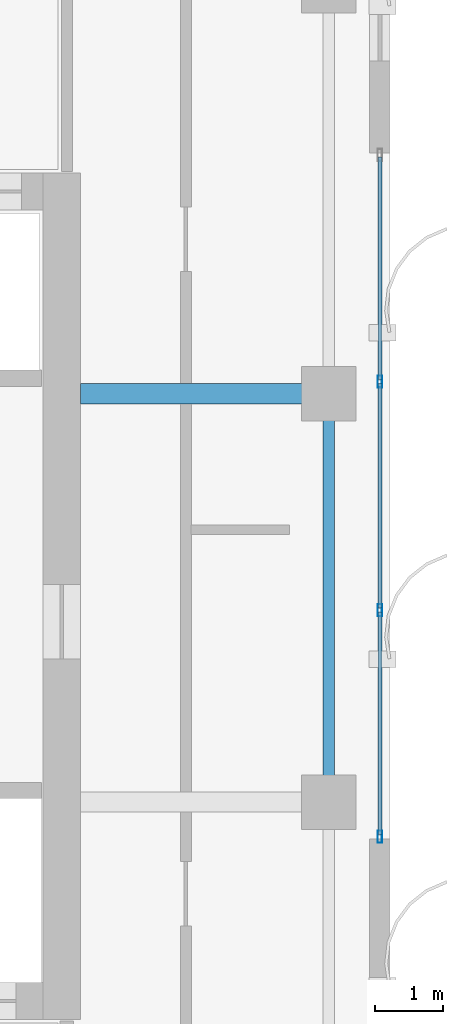
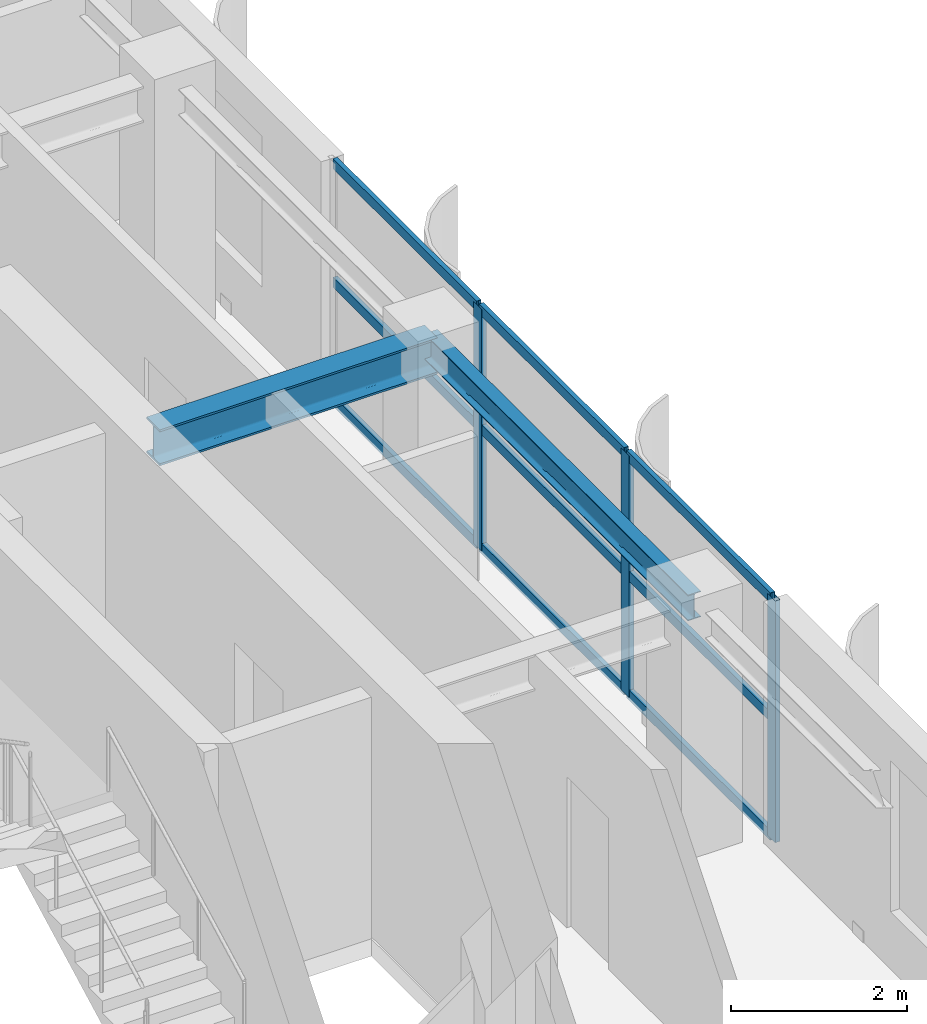
# One storey, part 12 of 24: 12 members, 2 beams, 1 element without a shape of its own.
"""IFC4 building model written with IfcOpenShell, lengths in metres."""

from ifc_helpers import new_model, si_unit, direction, frame, origin, origin_2d, place, context, subcontext, project, spatial, hollow_rectangle, i_section, extrude, source, transform, mapped, material, layer, layer_set, material_profile, profile_set, type_object, element, aggregate, save


model = new_model("IFC4")

# Units and contexts
model_context = context("Model", 3, precision=1e-05, world=origin(), true_north=direction((0.0, 1.0)))
body_context = subcontext(model_context, "Body", "Model", "MODEL_VIEW")
ifc_project = project(units=[si_unit("LENGTHUNIT", "METRE"), si_unit("AREAUNIT", "SQUARE_METRE"), si_unit("VOLUMEUNIT", "CUBIC_METRE"), si_unit("PLANEANGLEUNIT", "RADIAN"), si_unit("MASSUNIT", "GRAM", prefix="KILO")], contexts=[model_context])

# Site, building, storey
site_placement = place(None, origin())
site = spatial("IfcSite", under=ifc_project, at=site_placement, CompositionType="ELEMENT")
building_placement = place(site_placement, origin())
building = spatial("IfcBuilding", under=site, at=building_placement, Name="Khoralis Quay Care Tower", CompositionType="ELEMENT")
storey_placement = place(building_placement, frame((0.0, 0.0, 238.5)))
storey = spatial("IfcBuildingStorey", under=building, at=storey_placement, Name="L62", CompositionType="ELEMENT", Elevation=238.5)

# Beams
ifc_material_1 = material(Name="Steel S355", Category="steel")
ifc_material_profile_1 = material_profile(ifc_material_1, i_section(OverallWidth=0.169921875, OverallDepth=0.360107421875, WebThickness=0.008056640625, FlangeThickness=0.0126953125, FilletRadius=0.01806640625, at=origin_2d()), Name="Steel S355")
ifc_profile_set_1 = profile_set([ifc_material_profile_1], Name="Steel S355")
beam_type_1 = type_object("IfcBeamType", Name="BM-IPE360", PredefinedType="SPANDREL", material=ifc_profile_set_1)
shared_shape_1 = source(origin(), body_context, "Body", "SweptSolid", [
    extrude(i_section(OverallWidth=0.169921875, OverallDepth=0.360107421875, WebThickness=0.008056640625, FlangeThickness=0.0126953125, FilletRadius=0.01806640625, at=origin_2d()), origin(), (0.0, 0.0, 1.0), 6.0),
])
beam_1_placement = place(storey_placement, frame((41.10009765625, 18.0, 3.179931640625), z_axis=(0.0, 1.0, 0.0), x_axis=(-1.0, 0.0, 0.0)))
element("IfcBeam", 1, at=beam_1_placement, inside=storey, type_object=beam_type_1, Name="BM-TSP-L62-10", PredefinedType="SPANDREL", context=body_context, shape_type="MappedRepresentation", body=[
    mapped(shared_shape_1, transform((0.0, 0.0, 0.0), scale=1.0)),
])
ifc_material_profile_2 = material_profile(ifc_material_1, i_section(OverallWidth=0.300048828125, OverallDepth=0.5, WebThickness=0.014404296875, FlangeThickness=0.028076171875, FilletRadius=0.027099609375, at=origin_2d()), Name="Steel S355")
ifc_profile_set_2 = profile_set([ifc_material_profile_2], Name="Steel S355")
beam_type_2 = type_object("IfcBeamType", Name="BM-HEB500", PredefinedType="BEAM", material=ifc_profile_set_2)
shared_shape_2 = source(origin(), body_context, "Body", "SweptSolid", [
    extrude(i_section(OverallWidth=0.300048828125, OverallDepth=0.5, WebThickness=0.014404296875, FlangeThickness=0.028076171875, FilletRadius=0.027099609375, at=origin_2d()), origin(), (0.0, 0.0, 1.0), 3.652099609375),
])
beam_2_placement = place(storey_placement, frame((37.447998046875, 24.0, 3.110107421875), z_axis=(1.0, 0.0, 0.0), x_axis=(0.0, 1.0, 0.0)))
element("IfcBeam", 2, at=beam_2_placement, inside=storey, type_object=beam_type_2, Name="BM-TGXE-L62-240", PredefinedType="BEAM", context=body_context, shape_type="MappedRepresentation", body=[
    mapped(shared_shape_2, transform((0.0, 0.0, 0.0), scale=1.0)),
])

# Curtain wall, members
ifc_material_2 = material(Name="Pale anodised aluminium", Category="aluminium")
ifc_layer = layer(ifc_material_2, 0.159912109375)
ifc_layer_set = layer_set([ifc_layer], Name="Pale anodised aluminium")
curtain_wall_type = type_object("IfcCurtainWallType", Name="CW-SYS-Z3", PredefinedType="NOTDEFINED", material=ifc_layer_set)
curtain_wall_placement = place(storey_placement, origin())
curtain_wall = element("IfcCurtainWall", 3, at=curtain_wall_placement, inside=storey, type_object=curtain_wall_type, Name="L62 Unitised Curtain Wall CW-L62-P2-E5", PredefinedType="NOTDEFINED")
ifc_material_profile_3 = material_profile(ifc_material_2, hollow_rectangle(XDim=0.06494140625, YDim=0.179931640625, WallThickness=0.00390625, at=origin_2d()), Name="Pale anodised aluminium")
ifc_profile_set_3 = profile_set([ifc_material_profile_3], Name="Pale anodised aluminium")
member_type_1 = type_object("IfcMemberType", Name="CW-MUL-180", PredefinedType="MULLION", material=ifc_profile_set_3)
shared_shape_3 = source(origin(), body_context, "Body", "SweptSolid", [
    extrude(hollow_rectangle(XDim=0.06494140625, YDim=0.179931640625, WallThickness=0.00390625, at=origin_2d()), origin(), (0.0, 0.0, 1.0), 3.360107421875),
])
member_1_placement = place(storey_placement, frame((41.85009765625, 17.489990234375, 0.0), z_axis=(0.0, 0.0, 1.0), x_axis=(-1.0, 0.0, 0.0)))
member_1 = element("IfcMember", 4, at=member_1_placement, type_object=member_type_1, Name="CW3 mullion 1", PredefinedType="MULLION", context=body_context, shape_type="MappedRepresentation", body=[
    mapped(shared_shape_3, transform((0.0, 0.0, 0.0), scale=1.0)),
])
member_2_placement = place(storey_placement, frame((41.85009765625, 20.820068359375, 0.0), z_axis=(0.0, 0.0, 1.0), x_axis=(-1.0, 0.0, 0.0)))
member_2 = element("IfcMember", 5, at=member_2_placement, type_object=member_type_1, Name="CW3 mullion 2", PredefinedType="MULLION", context=body_context, shape_type="MappedRepresentation", body=[
    mapped(shared_shape_3, transform((0.0, 0.0, 0.0), scale=1.0)),
])
member_3_placement = place(storey_placement, frame((41.85009765625, 24.179931640625, 0.0), z_axis=(0.0, 0.0, 1.0), x_axis=(-1.0, 0.0, 0.0)))
member_3 = element("IfcMember", 6, at=member_3_placement, type_object=member_type_1, Name="CW3 mullion 3", PredefinedType="MULLION", context=body_context, shape_type="MappedRepresentation", body=[
    mapped(shared_shape_3, transform((0.0, 0.0, 0.0), scale=1.0)),
])
ifc_material_profile_4 = material_profile(ifc_material_2, hollow_rectangle(XDim=0.06005859375, YDim=0.139892578125, WallThickness=0.00390625, at=origin_2d()), Name="Pale anodised aluminium")
ifc_profile_set_4 = profile_set([ifc_material_profile_4], Name="Pale anodised aluminium")
member_type_2 = type_object("IfcMemberType", Name="CW-TRN-140", PredefinedType="USERDEFINED", material=ifc_profile_set_4)
shared_shape_4 = source(origin(), body_context, "Body", "SweptSolid", [
    extrude(hollow_rectangle(XDim=0.06005859375, YDim=0.139892578125, WallThickness=0.00390625, at=origin_2d()), origin(), (0.0, 0.0, 1.0), 3.27001953125),
])
member_4_placement = place(storey_placement, frame((41.85009765625, 17.52001953125, 0.030029296875), z_axis=(0.0, 1.0, 0.0), x_axis=(-1.0, 0.0, 0.0)))
member_4 = element("IfcMember", 7, at=member_4_placement, type_object=member_type_2, Name="CW3 transom 1.1", ObjectType="TRANSOM", PredefinedType="USERDEFINED", context=body_context, shape_type="MappedRepresentation", body=[
    mapped(shared_shape_4, transform((0.0, 0.0, 0.0), scale=1.0)),
])
member_5_placement = place(storey_placement, frame((41.85009765625, 17.52001953125, 1.679931640625), z_axis=(0.0, 1.0, 0.0), x_axis=(-1.0, 0.0, 0.0)))
member_5 = element("IfcMember", 8, at=member_5_placement, type_object=member_type_2, Name="CW3 transom 1.2", ObjectType="TRANSOM", PredefinedType="USERDEFINED", context=body_context, shape_type="MappedRepresentation", body=[
    mapped(shared_shape_4, transform((0.0, 0.0, 0.0), scale=1.0)),
])
member_6_placement = place(storey_placement, frame((41.85009765625, 17.52001953125, 3.330078125), z_axis=(0.0, 1.0, 0.0), x_axis=(-1.0, 0.0, 0.0)))
member_6 = element("IfcMember", 9, at=member_6_placement, type_object=member_type_2, Name="CW3 transom 1.3", ObjectType="TRANSOM", PredefinedType="USERDEFINED", context=body_context, shape_type="MappedRepresentation", body=[
    mapped(shared_shape_4, transform((0.0, 0.0, 0.0), scale=1.0)),
])
member_7_placement = place(storey_placement, frame((41.85009765625, 24.2099609375, 0.030029296875), z_axis=(0.0, 1.0, 0.0), x_axis=(-1.0, 0.0, 0.0)))
member_7 = element("IfcMember", 10, at=member_7_placement, type_object=member_type_2, Name="CW3 transom 3.1", ObjectType="TRANSOM", PredefinedType="USERDEFINED", context=body_context, shape_type="MappedRepresentation", body=[
    mapped(shared_shape_4, transform((0.0, 0.0, 0.0), scale=1.0)),
])
member_8_placement = place(storey_placement, frame((41.85009765625, 24.2099609375, 1.679931640625), z_axis=(0.0, 1.0, 0.0), x_axis=(-1.0, 0.0, 0.0)))
member_8 = element("IfcMember", 11, at=member_8_placement, type_object=member_type_2, Name="CW3 transom 3.2", ObjectType="TRANSOM", PredefinedType="USERDEFINED", context=body_context, shape_type="MappedRepresentation", body=[
    mapped(shared_shape_4, transform((0.0, 0.0, 0.0), scale=1.0)),
])
member_9_placement = place(storey_placement, frame((41.85009765625, 24.2099609375, 3.330078125), z_axis=(0.0, 1.0, 0.0), x_axis=(-1.0, 0.0, 0.0)))
member_9 = element("IfcMember", 12, at=member_9_placement, type_object=member_type_2, Name="CW3 transom 3.3", ObjectType="TRANSOM", PredefinedType="USERDEFINED", context=body_context, shape_type="MappedRepresentation", body=[
    mapped(shared_shape_4, transform((0.0, 0.0, 0.0), scale=1.0)),
])
shared_shape_5 = source(origin(), body_context, "Body", "SweptSolid", [
    extrude(hollow_rectangle(XDim=0.06005859375, YDim=0.139892578125, WallThickness=0.00390625, at=origin_2d()), origin(), (0.0, 0.0, 1.0), 3.2998046875),
])
member_10_placement = place(storey_placement, frame((41.85009765625, 20.85009765625, 0.030029296875), z_axis=(0.0, 1.0, 0.0), x_axis=(-1.0, 0.0, 0.0)))
member_10 = element("IfcMember", 13, at=member_10_placement, type_object=member_type_2, Name="CW3 transom 2.1", ObjectType="TRANSOM", PredefinedType="USERDEFINED", context=body_context, shape_type="MappedRepresentation", body=[
    mapped(shared_shape_5, transform((0.0, 0.0, 0.0), scale=1.0)),
])
member_11_placement = place(storey_placement, frame((41.85009765625, 20.85009765625, 1.679931640625), z_axis=(0.0, 1.0, 0.0), x_axis=(-1.0, 0.0, 0.0)))
member_11 = element("IfcMember", 14, at=member_11_placement, type_object=member_type_2, Name="CW3 transom 2.2", ObjectType="TRANSOM", PredefinedType="USERDEFINED", context=body_context, shape_type="MappedRepresentation", body=[
    mapped(shared_shape_5, transform((0.0, 0.0, 0.0), scale=1.0)),
])
member_12_placement = place(storey_placement, frame((41.85009765625, 20.85009765625, 3.330078125), z_axis=(0.0, 1.0, 0.0), x_axis=(-1.0, 0.0, 0.0)))
member_12 = element("IfcMember", 15, at=member_12_placement, type_object=member_type_2, Name="CW3 transom 2.3", ObjectType="TRANSOM", PredefinedType="USERDEFINED", context=body_context, shape_type="MappedRepresentation", body=[
    mapped(shared_shape_5, transform((0.0, 0.0, 0.0), scale=1.0)),
])
aggregate(curtain_wall, [member_1, member_2, member_3, member_4, member_5, member_6, member_10, member_11, member_12, member_7, member_8, member_9])

save(model, "model.ifc")
